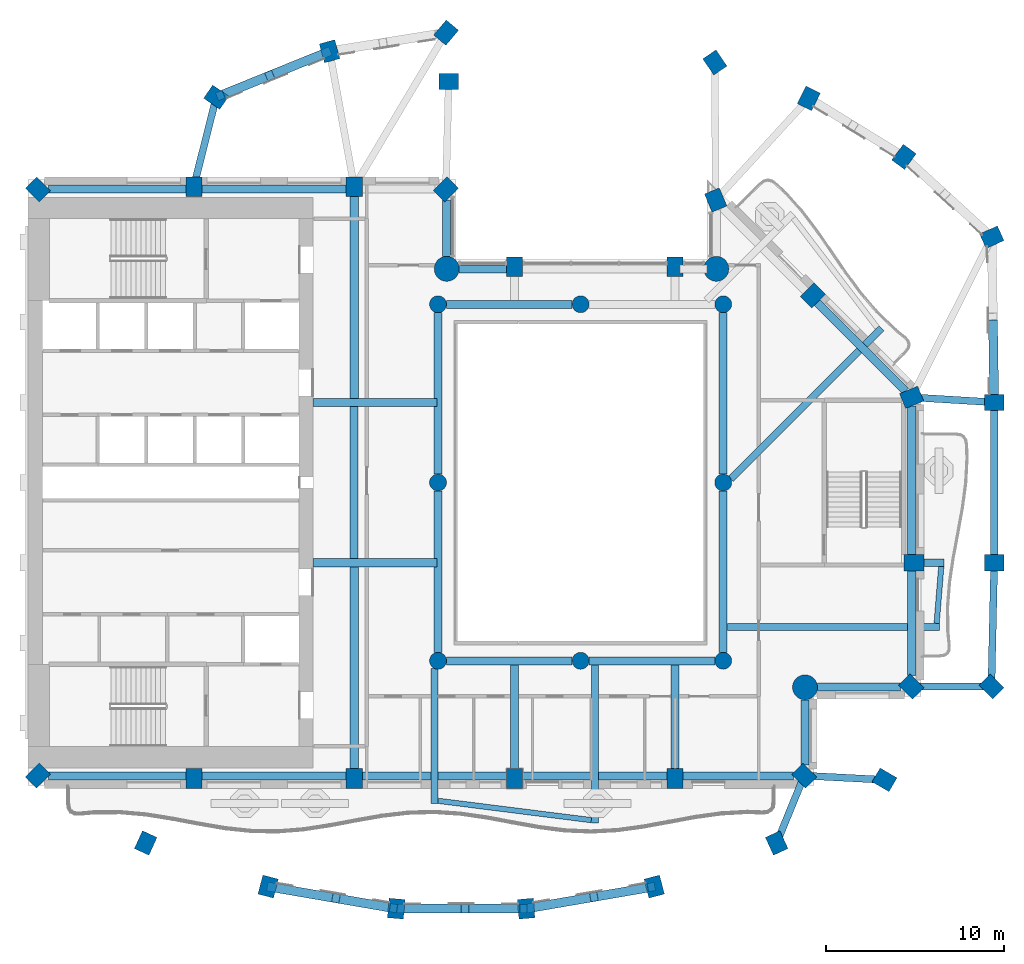
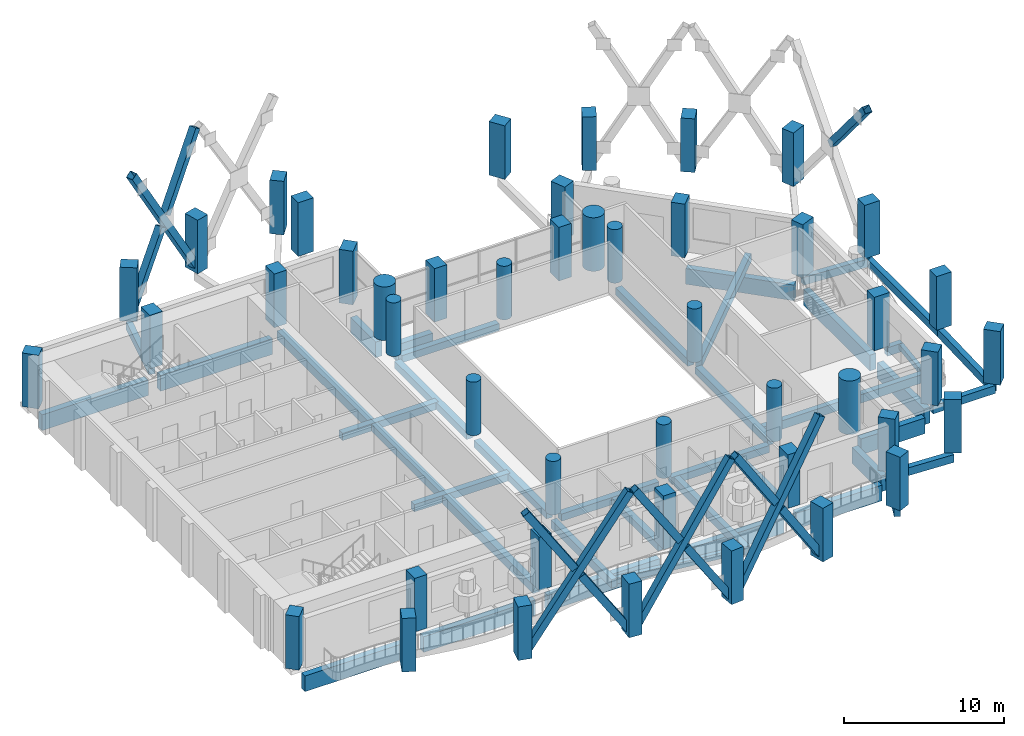
# One storey, part 1 of 16: 46 columns, 42 beams, 13 members.
"""IFC4 building model written with IfcOpenShell, lengths in metres."""

from ifc_helpers import new_model, si_unit, direction, frame, origin, origin_2d, place, context, subcontext, project, spatial, rectangle, hollow_rectangle, circle, extrude, material, material_profile, profile_set, type_object, element, save


model = new_model("IFC4")

# Units and contexts
model_context = context("Model", 3, precision=1e-05, world=origin(), true_north=direction((0.0, 1.0)))
body_context = subcontext(model_context, "Body", "Model", "MODEL_VIEW")
ifc_project = project(units=[si_unit("LENGTHUNIT", "METRE"), si_unit("AREAUNIT", "SQUARE_METRE"), si_unit("VOLUMEUNIT", "CUBIC_METRE"), si_unit("PLANEANGLEUNIT", "RADIAN"), si_unit("MASSUNIT", "GRAM", prefix="KILO")], contexts=[model_context])

# Site, building, storey
site_placement = place(None, origin())
site = spatial("IfcSite", under=ifc_project, at=site_placement, CompositionType="ELEMENT")
building_placement = place(site_placement, origin())
building = spatial("IfcBuilding", under=site, at=building_placement, Name="Cypress Arch Tower", CompositionType="ELEMENT")
storey_placement = place(building_placement, frame((0.0, 0.0, 181.0)))
storey = spatial("IfcBuildingStorey", under=building, at=storey_placement, Name="L39", CompositionType="ELEMENT", Elevation=181.0)

# Columns
ifc_material_1 = material(Name="Concrete C70/85", Category="concrete")
ifc_material_profile_1 = material_profile(ifc_material_1, rectangle(XDim=0.89990234375, YDim=1.10009765625, at=origin_2d()), Name="RC 900x1100")
ifc_profile_set_1 = profile_set([ifc_material_profile_1], Name="Concrete C70/85")
column_type_1 = type_object("IfcColumnType", Name="Column RC 900x1100 Concrete C70/85", PredefinedType="COLUMN", material=ifc_profile_set_1)
for number, where, z_axis, x_axis, name in (
    (1, (-29.44287109375, 16.44287109375, 0.0), (0.0, 0.0, 1.0), (-0.707106781187, -0.707106781187, 0.0), "Column L39 CB00"),
    (2, (-29.44287109375, -16.44287109375, 0.0), (0.0, 0.0, 1.0), (0.707106781187, -0.707106781187, 0.0), "Column L39 CB01"),
    (3, (-20.699951171875, -16.60009765625, 0.0), (0.0, 0.0, 1.0), (1.0, 0.0, 0.0), "Column L39 CB02"),
    (4, (-11.699951171875, -16.60009765625, 0.0), (0.0, 0.0, 1.0), (1.0, 0.0, 0.0), "Column L39 CB03"),
    (5, (-2.699951171875, -16.60009765625, 0.0), (0.0, 0.0, 1.0), (1.0, 0.0, 0.0), "Column L39 CB04"),
    (6, (6.300048828125, -16.60009765625, 0.0), (0.0, 0.0, 1.0), (1.0, 0.0, 0.0), "Column L39 CB05"),
    (7, (13.54296875, -16.44287109375, 0.0), (0.0, 0.0, 1.0), (0.707106781187, 0.707106781187, 0.0), "Column L39 CB06"),
    (8, (19.54296875, -11.44287109375, 0.0), (0.0, 0.0, 1.0), (0.707106781187, 0.707106781187, 0.0), "Column L39 CB08"),
    (9, (19.699951171875, -4.5, 0.0), (0.0, 0.0, 1.0), (0.0, 1.0, 0.0), "Column L39 CB09"),
    (10, (19.569580078125, 4.7802734375, 0.0), (0.0, 0.0, 1.0), (-0.382683496864, 0.923879505795, 0.0), "Column L39 CB10"),
    (11, (14.029296875, 10.505126953125, 0.0), (0.0, 0.0, 1.0), (-0.707106781187, 0.707106781187, 0.0), "Column L39 CB11"),
    (12, (8.576171875, 15.850341796875, 0.0), (0.0, 0.0, 1.0), (-0.923879672772, -0.382683093746, 0.0), "Column L39 CB12"),
    (13, (6.300048828125, 12.10009765625, 0.0), (0.0, 0.0, 1.0), (-1.0, 0.0, 0.0), "Column L39 CB14"),
    (14, (-2.699951171875, 12.10009765625, 0.0), (0.0, 0.0, 1.0), (-1.0, 0.0, 0.0), "Column L39 CB15"),
    (15, (-6.55712890625, 16.44287109375, 0.0), (0.0, 0.0, 1.0), (-0.707106781187, 0.707106781187, 0.0), "Column L39 CB17"),
    (16, (-11.699951171875, 16.60009765625, 0.0), (0.0, 0.0, 1.0), (-1.0, 0.0, 0.0), "Column L39 CB18"),
    (17, (-20.699951171875, 16.60009765625, 0.0), (0.0, 0.0, 1.0), (-1.0, 0.0, 0.0), "Column L39 CB19"),
    (18, (8.53076171875, 23.564697265625, 0.0), (0.0, 0.0, 1.0), (-0.828469606019, -0.560034027451, 0.0), "Column L39 CQ00"),
    (19, (-6.39990234375, 22.5, 0.0), (0.0, 0.0, 1.0), (0.0, 1.0, 0.0), "Column L39 CQ01"),
    (20, (-6.54833984375, 25.236572265625, 0.0), (0.0, 0.0, 1.0), (-0.766063514674, 0.642764880407, 0.0), "Column L39 CQ02"),
    (21, (-13.081298828125, 24.193359375, 0.0), (0.0, 0.0, 1.0), (-0.96345574646, -0.267867550506, 0.0), "Column L39 CQ03"),
    (22, (-19.44189453125, 21.616943359375, 0.0), (0.0, 0.0, 1.0), (-0.565892599589, -0.824478966215, 0.0), "Column L39 CQ04"),
    (23, (-23.398193359375, -20.221435546875, 0.0), (0.0, 0.0, 1.0), (0.909932071487, -0.414757308891, 0.0), "Column L39 CQ05"),
    (24, (-16.529052734375, -22.666259765625, 0.0), (0.0, 0.0, 1.0), (0.96735573689, -0.2534223319, 0.0), "Column L39 CQ06"),
    (25, (-9.3427734375, -23.903564453125, 0.0), (0.0, 0.0, 1.0), (0.996368206733, -0.085149260784, 0.0), "Column L39 CQ07"),
    (26, (-2.057373046875, -23.903564453125, 0.0), (0.0, 0.0, 1.0), (0.996368206733, 0.085149260784, 0.0), "Column L39 CQ08"),
    (27, (5.12890625, -22.666259765625, 0.0), (0.0, 0.0, 1.0), (0.96735573689, 0.2534223319, 0.0), "Column L39 CQ09"),
    (28, (11.998291015625, -20.221435546875, 0.0), (0.0, 0.0, 1.0), (0.909932071487, 0.414757308891, 0.0), "Column L39 CQ10"),
    (29, (18.048095703125, -16.677490234375, 0.0), (0.0, 0.0, 1.0), (0.504399289829, 0.86347053014, 0.0), "Column L39 CQ11"),
    (30, (24.04296875, -11.44287109375, 0.0), (0.0, 0.0, 1.0), (0.707106781187, 0.707106781187, 0.0), "Column L39 CQ12"),
    (31, (24.199951171875, -4.5, 0.0), (0.0, 0.0, 1.0), (0.0, 1.0, 0.0), "Column L39 CQ13"),
    (32, (24.199951171875, 4.5, 0.0), (0.0, 0.0, 1.0), (0.0, 1.0, 0.0), "Column L39 CQ14"),
    (33, (24.06396484375, 13.75927734375, 0.0), (0.0, 0.0, 1.0), (-0.409765058504, 0.912191096662, 0.0), "Column L39 CQ15"),
    (34, (19.13818359375, 18.267578125, 0.0), (0.0, 0.0, 1.0), (-0.802798546114, 0.596250362144, 0.0), "Column L39 CQ16"),
    (35, (13.80322265625, 21.549072265625, 0.0), (0.0, 0.0, 1.0), (-0.893106499805, 0.44984528452, 0.0), "Column L39 CQ17"),
):
    element("IfcColumn", number, at=place(storey_placement, frame(where, z_axis=z_axis, x_axis=x_axis)), inside=storey, type_object=column_type_1, Name=name, PredefinedType="COLUMN", context=body_context, shape_type="SweptSolid", body=[
        extrude(rectangle(XDim=0.89990234375, YDim=1.10009765625, at=origin_2d()), origin(), (0.0, 0.0, 1.0), 4.10009765625),
    ])
ifc_material_2 = material(Name="Concrete C70/85", Category="concrete")
ifc_material_profile_2 = material_profile(ifc_material_2, circle(Radius=0.47509765625, at=origin_2d()), Name="RC D950")
ifc_profile_set_2 = profile_set([ifc_material_profile_2], Name="Concrete C70/85")
column_type_2 = type_object("IfcColumnType", Name="Column RC D950 Concrete C70/85", PredefinedType="COLUMN", material=ifc_profile_set_2)
for number, where, z_axis, x_axis, name in (
    (36, (-7.0, -10.0, 0.0), (0.0, 0.0, 1.0), (1.0, 0.0, 0.0), "Column L39 RNG-L39-G-7-10"),
    (37, (-7.0, 0.0, 0.0), (0.0, 0.0, 1.0), (1.0, 0.0, 0.0), "Column L39 RNG-L39-G-7+0"),
    (38, (-7.0, 10.0, 0.0), (0.0, 0.0, 1.0), (1.0, 0.0, 0.0), "Column L39 RNG-L39-G-7+10"),
    (39, (1.0, -10.0, 0.0), (0.0, 0.0, 1.0), (1.0, 0.0, 0.0), "Column L39 RNG-L39-G+1-10"),
    (40, (1.0, 10.0, 0.0), (0.0, 0.0, 1.0), (1.0, 0.0, 0.0), "Column L39 RNG-L39-G+1+10"),
    (41, (9.0, -10.0, 0.0), (0.0, 0.0, 1.0), (1.0, 0.0, 0.0), "Column L39 RNG-L39-G+9-10"),
    (42, (9.0, 0.0, 0.0), (0.0, 0.0, 1.0), (1.0, 0.0, 0.0), "Column L39 RNG-L39-G+9+0"),
    (43, (9.0, 10.0, 0.0), (0.0, 0.0, 1.0), (1.0, 0.0, 0.0), "Column L39 RNG-L39-G+9+10"),
):
    element("IfcColumn", number, at=place(storey_placement, frame(where, z_axis=z_axis, x_axis=x_axis)), inside=storey, type_object=column_type_2, Name=name, PredefinedType="COLUMN", context=body_context, shape_type="SweptSolid", body=[
        extrude(circle(Radius=0.47509765625, at=origin_2d()), origin(), (0.0, 0.0, 1.0), 4.10009765625),
    ])
ifc_material_3 = material(Name="Concrete C70/85", Category="concrete")
ifc_material_profile_3 = material_profile(ifc_material_3, circle(Radius=0.699951171875, at=origin_2d()), Name="RC D1400")
ifc_profile_set_3 = profile_set([ifc_material_profile_3], Name="Concrete C70/85")
column_type_3 = type_object("IfcColumnType", Name="Mega-column RC D1400 Concrete C70/85", PredefinedType="COLUMN", material=ifc_profile_set_3)
for number, where, z_axis, x_axis, name in (
    (44, (13.587890625, -11.48779296875, 0.0), (0.0, 0.0, 1.0), (1.0, 0.0, 0.0), "Column L39 CB07"),
    (45, (8.612060546875, 11.98779296875, 0.0), (0.0, 0.0, 1.0), (1.0, 0.0, 0.0), "Column L39 CB13"),
    (46, (-6.51220703125, 11.98779296875, 0.0), (0.0, 0.0, 1.0), (1.0, 0.0, 0.0), "Column L39 CB16"),
):
    element("IfcColumn", number, at=place(storey_placement, frame(where, z_axis=z_axis, x_axis=x_axis)), inside=storey, type_object=column_type_3, Name=name, PredefinedType="COLUMN", context=body_context, shape_type="SweptSolid", body=[
        extrude(circle(Radius=0.699951171875, at=origin_2d()), origin(), (0.0, 0.0, 1.0), 4.10009765625),
    ])

# Beams
ifc_material_4 = material(Name="Concrete C50/60", Category="concrete")
ifc_material_profile_4 = material_profile(ifc_material_4, rectangle(XDim=0.300048828125, YDim=0.39990234375, at=origin_2d()), Name="RC 300x400")
ifc_profile_set_4 = profile_set([ifc_material_profile_4], Name="Concrete C50/60")
beam_type_1 = type_object("IfcBeamType", Name="Balcony edge beam RC 300x400 Concrete C50/60", PredefinedType="BEAM", material=ifc_profile_set_4)
beam_1_placement = place(storey_placement, frame((20.9716796875, -7.89990234375, -0.5), z_axis=(0.080987381557, 0.996715126818, 0.0), x_axis=(-0.996715126818, 0.080987381557, 0.0)))
element("IfcBeam", 47, at=beam_1_placement, inside=storey, type_object=beam_type_1, Name="Balcony edge beam L39 B04", PredefinedType="BEAM", context=body_context, shape_type="SweptSolid", body=[
    extrude(rectangle(XDim=0.300048828125, YDim=0.39990234375, at=origin_2d()), origin(), (0.0, 0.0, 1.0), 3.21044921875),
])
ifc_material_5 = material(Name="Concrete C50/60", Category="concrete")
ifc_material_profile_5 = material_profile(ifc_material_5, rectangle(XDim=0.300048828125, YDim=0.449951171875, at=origin_2d()), Name="RC 300x450")
ifc_profile_set_5 = profile_set([ifc_material_profile_5], Name="Concrete C50/60")
beam_type_2 = type_object("IfcBeamType", Name="Balcony edge beam RC 300x450 Concrete C50/60", PredefinedType="BEAM", material=ifc_profile_set_5)
beam_2_placement = place(storey_placement, frame((-7.0, -17.853759765625, -0.52490234375), z_axis=(0.992128978979, -0.125220162395, 0.0), x_axis=(0.125220162395, 0.992128978979, 0.0)))
element("IfcBeam", 48, at=beam_2_placement, inside=storey, type_object=beam_type_2, Name="Balcony edge beam L39 B01", PredefinedType="BEAM", context=body_context, shape_type="SweptSolid", body=[
    extrude(rectangle(XDim=0.300048828125, YDim=0.449951171875, at=origin_2d()), origin(), (0.0, 0.0, 1.0), 8.668212890625),
])
ifc_material_6 = material(Name="Concrete C50/60", Category="concrete")
ifc_material_profile_6 = material_profile(ifc_material_6, rectangle(XDim=0.39990234375, YDim=0.64990234375, at=origin_2d()), Name="RC 400x650")
ifc_profile_set_6 = profile_set([ifc_material_profile_6], Name="Concrete C50/60")
beam_type_3 = type_object("IfcBeamType", Name="Cantilever beam RC 400x650 Concrete C50/60", PredefinedType="BEAM", material=ifc_profile_set_6)
beam_3_placement = place(storey_placement, frame((-7.199951171875, -10.4306640625, -0.625), z_axis=(0.0, -1.0, 0.0), x_axis=(1.0, 0.0, 0.0)))
element("IfcBeam", 49, at=beam_3_placement, inside=storey, type_object=beam_type_3, Name="Cantilever beam L39 B01 1", PredefinedType="BEAM", context=body_context, shape_type="SweptSolid", body=[
    extrude(rectangle(XDim=0.39990234375, YDim=0.64990234375, at=origin_2d()), origin(), (0.0, 0.0, 1.0), 7.5732421875),
])
beam_4_placement = place(storey_placement, frame((1.800048828125, -10.22509765625, -0.625), z_axis=(0.0, -1.0, 0.0), x_axis=(1.0, 0.0, 0.0)))
element("IfcBeam", 50, at=beam_4_placement, inside=storey, type_object=beam_type_3, Name="Cantilever beam L39 B01 2", PredefinedType="BEAM", context=body_context, shape_type="SweptSolid", body=[
    extrude(rectangle(XDim=0.39990234375, YDim=0.64990234375, at=origin_2d()), origin(), (0.0, 0.0, 1.0), 8.864013671875),
])
beam_5_placement = place(storey_placement, frame((9.22509765625, -8.10009765625, -0.625), z_axis=(1.0, 0.0, 0.0), x_axis=(0.0, 1.0, 0.0)))
element("IfcBeam", 51, at=beam_5_placement, inside=storey, type_object=beam_type_3, Name="Cantilever beam L39 B04 1", PredefinedType="BEAM", context=body_context, shape_type="SweptSolid", body=[
    extrude(rectangle(XDim=0.39990234375, YDim=0.64990234375, at=origin_2d()), origin(), (0.0, 0.0, 1.0), 11.896728515625),
])
beam_6_placement = place(storey_placement, frame((20.25, -4.5, -0.625), z_axis=(1.0, 0.0, 0.0), x_axis=(0.0, 1.0, 0.0)))
element("IfcBeam", 52, at=beam_6_placement, inside=storey, type_object=beam_type_3, Name="Cantilever beam L39 B04 2", PredefinedType="BEAM", context=body_context, shape_type="SweptSolid", body=[
    extrude(rectangle(XDim=0.39990234375, YDim=0.64990234375, at=origin_2d()), origin(), (0.0, 0.0, 1.0), 1.131591796875),
])
beam_7_placement = place(storey_placement, frame((9.4287109375, 0.204345703125, -0.625), z_axis=(0.707096570922, 0.707116991304, 0.0), x_axis=(-0.707116991304, 0.707096570922, 0.0)))
element("IfcBeam", 53, at=beam_7_placement, inside=storey, type_object=beam_type_3, Name="Cantilever beam L39 B05 1", PredefinedType="BEAM", context=body_context, shape_type="SweptSolid", body=[
    extrude(rectangle(XDim=0.39990234375, YDim=0.64990234375, at=origin_2d()), origin(), (0.0, 0.0, 1.0), 11.955810546875),
])

# Members
ifc_material_7 = material(Name="Steel ASTM A500 Grade C", Category="steel")
ifc_material_profile_7 = material_profile(ifc_material_7, hollow_rectangle(XDim=0.508056640625, YDim=0.508056640625, WallThickness=0.017578125, at=origin_2d()), Name="HSS 20x20x3/4")
ifc_profile_set_7 = profile_set([ifc_material_profile_7], Name="Steel ASTM A500 Grade C")
member_type = type_object("IfcMemberType", Name="Exoskeleton brace HSS 20x20x3/4 Steel ASTM A500 Grade C", PredefinedType="BRACE", material=ifc_profile_set_7)
member_1_placement = place(storey_placement, frame((-13.226806640625, 24.13427734375, 0.253662109375), z_axis=(-0.487398996973, -0.197419142906, 0.850569162246), x_axis=(0.375419205313, -0.926855123675, 0.0)))
element("IfcMember", 54, at=member_1_placement, inside=storey, type_object=member_type, Name="Exoskeleton brace L39 CQ03-CQ04a", PredefinedType="BRACE", context=body_context, shape_type="SweptSolid", body=[
    extrude(hollow_rectangle(XDim=0.508056640625, YDim=0.508056640625, WallThickness=0.017578125, at=origin_2d()), origin(), (0.0, 0.0, 1.0), 12.288818359375),
])
member_2_placement = place(storey_placement, frame((-13.226806640625, 24.13427734375, 10.84619140625), z_axis=(-0.48270643109, -0.195493802202, -0.853684177366), x_axis=(0.375378569734, -0.926871581927, 0.0)))
element("IfcMember", 55, at=member_2_placement, inside=storey, type_object=member_type, Name="Exoskeleton brace L39 CQ03-CQ04b1", PredefinedType="BRACE", context=body_context, shape_type="SweptSolid", body=[
    extrude(hollow_rectangle(XDim=0.508056640625, YDim=0.508056640625, WallThickness=0.017578125, at=origin_2d()), origin(), (0.0, 0.0, 1.0), 5.83203125),
])
member_3_placement = place(storey_placement, frame((-19.21630859375, 21.708251953125, 0.393798828125), z_axis=(0.492178617926, 0.199375004692, 0.847354598477), x_axis=(-0.375451388539, 0.926842087329, 0.0)))
element("IfcMember", 56, at=member_3_placement, inside=storey, type_object=member_type, Name="Exoskeleton brace L39 CQ03-CQ04b2", PredefinedType="BRACE", context=body_context, shape_type="SweptSolid", body=[
    extrude(hollow_rectangle(XDim=0.508056640625, YDim=0.508056640625, WallThickness=0.017578125, at=origin_2d()), origin(), (0.0, 0.0, 1.0), 5.636474609375),
])
member_4_placement = place(storey_placement, frame((-16.371826171875, -22.693115234375, 0.24267578125), z_axis=(0.541092669505, -0.093193735319, 0.835783255818), x_axis=(0.169733395085, 0.9854900175, 0.0)))
element("IfcMember", 57, at=member_4_placement, inside=storey, type_object=member_type, Name="Exoskeleton brace L39 CQ06-CQ07a", PredefinedType="BRACE", context=body_context, shape_type="SweptSolid", body=[
    extrude(hollow_rectangle(XDim=0.508056640625, YDim=0.508056640625, WallThickness=0.017578125, at=origin_2d()), origin(), (0.0, 0.0, 1.0), 12.700439453125),
])
for number, where, z_axis, x_axis, name in (
    (58, (-16.371826171875, -22.693115234375, 10.857421875), (0.541088154541, -0.093210601293, -0.835784298023), (0.169764603538, 0.985484641882, 0.0), "Exoskeleton brace L39 CQ06-CQ07b1"),
    (59, (-9.499755859375, -23.876708984375, 0.24267578125), (-0.541088154541, 0.093210601293, 0.835784298023), (-0.169764603538, -0.985484641882, 0.0), "Exoskeleton brace L39 CQ06-CQ07b2"),
):
    element("IfcMember", number, at=place(storey_placement, frame(where, z_axis=z_axis, x_axis=x_axis)), inside=storey, type_object=member_type, Name=name, PredefinedType="BRACE", context=body_context, shape_type="SweptSolid", body=[
        extrude(hollow_rectangle(XDim=0.508056640625, YDim=0.508056640625, WallThickness=0.017578125, at=origin_2d()), origin(), (0.0, 0.0, 1.0), 5.964111328125),
    ])
member_5_placement = place(storey_placement, frame((-9.183349609375, -23.903564453125, 0.24267578125), z_axis=(0.548704321507, 0.0, 0.836016487612), x_axis=(0.0, 1.0, 0.0)))
element("IfcMember", 60, at=member_5_placement, inside=storey, type_object=member_type, Name="Exoskeleton brace L39 CQ07-CQ08a", PredefinedType="BRACE", context=body_context, shape_type="SweptSolid", body=[
    extrude(hollow_rectangle(XDim=0.508056640625, YDim=0.508056640625, WallThickness=0.017578125, at=origin_2d()), origin(), (0.0, 0.0, 1.0), 12.69677734375),
])
for number, where, z_axis, x_axis, name in (
    (61, (-9.183349609375, -23.903564453125, 10.857421875), (0.548685064029, 0.0, -0.836029126593), (0.0, 1.0, 0.0), "Exoskeleton brace L39 CQ07-CQ08b1"),
    (62, (-2.216552734375, -23.903564453125, 0.24267578125), (-0.548732469594, 0.0, 0.835998012446), (0.0, -1.0, 0.0), "Exoskeleton brace L39 CQ07-CQ08b2"),
):
    element("IfcMember", number, at=place(storey_placement, frame(where, z_axis=z_axis, x_axis=x_axis)), inside=storey, type_object=member_type, Name=name, PredefinedType="BRACE", context=body_context, shape_type="SweptSolid", body=[
        extrude(hollow_rectangle(XDim=0.508056640625, YDim=0.508056640625, WallThickness=0.017578125, at=origin_2d()), origin(), (0.0, 0.0, 1.0), 5.9619140625),
    ])
member_6_placement = place(storey_placement, frame((-1.900146484375, -23.876708984375, 0.24267578125), z_axis=(0.541092669505, 0.093193735319, 0.835783255818), x_axis=(-0.169733395085, 0.9854900175, 0.0)))
element("IfcMember", 63, at=member_6_placement, inside=storey, type_object=member_type, Name="Exoskeleton brace L39 CQ08-CQ09a", PredefinedType="BRACE", context=body_context, shape_type="SweptSolid", body=[
    extrude(hollow_rectangle(XDim=0.508056640625, YDim=0.508056640625, WallThickness=0.017578125, at=origin_2d()), origin(), (0.0, 0.0, 1.0), 12.700439453125),
])
for number, where, z_axis, x_axis, name in (
    (64, (-1.900146484375, -23.876708984375, 10.857421875), (0.541088154541, 0.093210601293, -0.835784298023), (-0.169764603538, 0.985484641882, 0.0), "Exoskeleton brace L39 CQ08-CQ09b1"),
    (65, (4.971923828125, -22.693115234375, 0.24267578125), (-0.541088154541, -0.093210601293, 0.835784298023), (0.169764603538, -0.985484641882, 0.0), "Exoskeleton brace L39 CQ08-CQ09b2"),
):
    element("IfcMember", number, at=place(storey_placement, frame(where, z_axis=z_axis, x_axis=x_axis)), inside=storey, type_object=member_type, Name=name, PredefinedType="BRACE", context=body_context, shape_type="SweptSolid", body=[
        extrude(hollow_rectangle(XDim=0.508056640625, YDim=0.508056640625, WallThickness=0.017578125, at=origin_2d()), origin(), (0.0, 0.0, 1.0), 5.964111328125),
    ])
member_7_placement = place(storey_placement, frame((24.197509765625, 4.675048828125, 10.89013671875), z_axis=(-0.009394565825, 0.638830476121, -0.769290169515), x_axis=(-0.999891886048, -0.014704292442, 0.0)))
element("IfcMember", 66, at=member_7_placement, inside=storey, type_object=member_type, Name="Exoskeleton brace L39 CQ14-CQ15b1", PredefinedType="BRACE", context=body_context, shape_type="SweptSolid", body=[
    extrude(hollow_rectangle(XDim=0.508056640625, YDim=0.508056640625, WallThickness=0.017578125, at=origin_2d()), origin(), (0.0, 0.0, 1.0), 6.65283203125),
])

# Beams
ifc_material_8 = material(Name="Concrete C50/60", Category="concrete")
ifc_material_profile_8 = material_profile(ifc_material_8, rectangle(XDim=0.449951171875, YDim=0.550048828125, at=origin_2d()), Name="RC 450x550")
ifc_profile_set_8 = profile_set([ifc_material_profile_8], Name="Concrete C50/60")
beam_type_4 = type_object("IfcBeamType", Name="Floor beam RC 450x550 Concrete C50/60", PredefinedType="BEAM", material=ifc_profile_set_8)
for number, where, z_axis, x_axis, name in (
    (67, (-7.0, -9.52490234375, -0.574951171875), (0.0, 1.0, 0.0), (-1.0, 0.0, 0.0), "Floor beam L39 RB001"),
    (68, (-7.0, 0.47509765625, -0.574951171875), (0.0, 1.0, 0.0), (-1.0, 0.0, 0.0), "Floor beam L39 RB002"),
    (69, (9.0, -9.52490234375, -0.574951171875), (0.0, 1.0, 0.0), (-1.0, 0.0, 0.0), "Floor beam L39 RB003"),
    (70, (9.0, 0.47509765625, -0.574951171875), (0.0, 1.0, 0.0), (-1.0, 0.0, 0.0), "Floor beam L39 RB004"),
):
    element("IfcBeam", number, at=place(storey_placement, frame(where, z_axis=z_axis, x_axis=x_axis)), inside=storey, type_object=beam_type_4, Name=name, PredefinedType="BEAM", context=body_context, shape_type="SweptSolid", body=[
        extrude(rectangle(XDim=0.449951171875, YDim=0.550048828125, at=origin_2d()), origin(), (0.0, 0.0, 1.0), 9.0498046875),
    ])
for number, where, z_axis, x_axis, name in (
    (71, (-6.52490234375, -10.0, -0.574951171875), (1.0, 0.0, 0.0), (0.0, 1.0, 0.0), "Floor beam L39 RB005"),
    (72, (1.47509765625, -10.0, -0.574951171875), (1.0, 0.0, 0.0), (0.0, 1.0, 0.0), "Floor beam L39 RB006"),
    (73, (-6.52490234375, 10.0, -0.574951171875), (1.0, 0.0, 0.0), (0.0, 1.0, 0.0), "Floor beam L39 RB007"),
):
    element("IfcBeam", number, at=place(storey_placement, frame(where, z_axis=z_axis, x_axis=x_axis)), inside=storey, type_object=beam_type_4, Name=name, PredefinedType="BEAM", context=body_context, shape_type="SweptSolid", body=[
        extrude(rectangle(XDim=0.449951171875, YDim=0.550048828125, at=origin_2d()), origin(), (0.0, 0.0, 1.0), 7.0498046875),
    ])
for number, where, z_axis, x_axis, name in (
    (74, (-14.0, -4.5, -0.574951171875), (1.0, 0.0, 0.0), (0.0, 1.0, 0.0), "Floor beam L39 FB009"),
    (75, (-14.0, 4.5, -0.574951171875), (1.0, 0.0, 0.0), (0.0, 1.0, 0.0), "Floor beam L39 FB010"),
):
    element("IfcBeam", number, at=place(storey_placement, frame(where, z_axis=z_axis, x_axis=x_axis)), inside=storey, type_object=beam_type_4, Name=name, PredefinedType="BEAM", context=body_context, shape_type="SweptSolid", body=[
        extrude(rectangle(XDim=0.449951171875, YDim=0.550048828125, at=origin_2d()), origin(), (0.0, 0.0, 1.0), 6.949951171875),
    ])
beam_8_placement = place(storey_placement, frame((-11.699951171875, -4.27490234375, -0.574951171875), z_axis=(0.0, 1.0, 0.0), x_axis=(-1.0, 0.0, 0.0)))
element("IfcBeam", 76, at=beam_8_placement, inside=storey, type_object=beam_type_4, Name="Floor beam L39 FB012", PredefinedType="BEAM", context=body_context, shape_type="SweptSolid", body=[
    extrude(rectangle(XDim=0.449951171875, YDim=0.550048828125, at=origin_2d()), origin(), (0.0, 0.0, 1.0), 8.5498046875),
])
for number, where, z_axis, x_axis, name in (
    (77, (-2.699951171875, -16.050048828125, -0.574951171875), (0.0, 1.0, 0.0), (-1.0, 0.0, 0.0), "Floor beam L39 FB014"),
    (78, (6.300048828125, -16.050048828125, -0.574951171875), (0.0, 1.0, 0.0), (-1.0, 0.0, 0.0), "Floor beam L39 FB016"),
):
    element("IfcBeam", number, at=place(storey_placement, frame(where, z_axis=z_axis, x_axis=x_axis)), inside=storey, type_object=beam_type_4, Name=name, PredefinedType="BEAM", context=body_context, shape_type="SweptSolid", body=[
        extrude(rectangle(XDim=0.449951171875, YDim=0.550048828125, at=origin_2d()), origin(), (0.0, 0.0, 1.0), 5.824951171875),
    ])
ifc_material_9 = material(Name="Concrete C50/60", Category="concrete")
ifc_material_profile_9 = material_profile(ifc_material_9, rectangle(XDim=0.5, YDim=0.64990234375, at=origin_2d()), Name="RC 500x650")
ifc_profile_set_9 = profile_set([ifc_material_profile_9], Name="Concrete C50/60")
beam_type_5 = type_object("IfcBeamType", Name="Floor beam RC 500x650 Concrete C50/60", PredefinedType="BEAM", material=ifc_profile_set_9)
for number, where, z_axis, x_axis, name in (
    (79, (-11.699951171875, -16.050048828125, -0.625), (0.0, 1.0, 0.0), (-1.0, 0.0, 0.0), "Floor beam L39 FB011"),
    (80, (-11.699951171875, 4.72509765625, -0.625), (0.0, 1.0, 0.0), (-1.0, 0.0, 0.0), "Floor beam L39 FB013"),
):
    element("IfcBeam", number, at=place(storey_placement, frame(where, z_axis=z_axis, x_axis=x_axis)), inside=storey, type_object=beam_type_5, Name=name, PredefinedType="BEAM", context=body_context, shape_type="SweptSolid", body=[
        extrude(rectangle(XDim=0.5, YDim=0.64990234375, at=origin_2d()), origin(), (0.0, 0.0, 1.0), 11.324951171875),
    ])
ifc_material_10 = material(Name="Concrete C50/60", Category="concrete")
ifc_material_profile_10 = material_profile(ifc_material_10, rectangle(XDim=0.39990234375, YDim=0.60009765625, at=origin_2d()), Name="RC 400x600")
ifc_profile_set_10 = profile_set([ifc_material_profile_10], Name="Concrete C50/60")
beam_type_6 = type_object("IfcBeamType", Name="Pilotis tie beam RC 400x600 Concrete C50/60", PredefinedType="BEAM", material=ifc_profile_set_10)
beam_9_placement = place(storey_placement, frame((-19.44189453125, 21.616943359375, -0.60009765625), z_axis=(-0.243235271871, -0.969967320335, 0.0), x_axis=(0.969967320335, -0.243235271871, 0.0)))
element("IfcBeam", 81, at=beam_9_placement, inside=storey, type_object=beam_type_6, Name="Pilotis tie beam L39 CQ04-CB19", PredefinedType="BEAM", context=body_context, shape_type="SweptSolid", body=[
    extrude(rectangle(XDim=0.39990234375, YDim=0.60009765625, at=origin_2d()), origin(), (0.0, 0.0, 1.0), 5.172119140625),
])
beam_10_placement = place(storey_placement, frame((11.998291015625, -20.221435546875, -0.60009765625), z_axis=(0.378402283859, 0.925641243447, 0.0), x_axis=(-0.925641243447, 0.378402283859, 0.0)))
element("IfcBeam", 82, at=beam_10_placement, inside=storey, type_object=beam_type_6, Name="Pilotis tie beam L39 CQ10-CB06", PredefinedType="BEAM", context=body_context, shape_type="SweptSolid", body=[
    extrude(rectangle(XDim=0.39990234375, YDim=0.60009765625, at=origin_2d()), origin(), (0.0, 0.0, 1.0), 4.08203125),
])
beam_11_placement = place(storey_placement, frame((18.048095703125, -16.677490234375, -0.60009765625), z_axis=(-0.998646679968, 0.052007774316, 0.0), x_axis=(-0.052007774316, -0.998646679968, 0.0)))
element("IfcBeam", 83, at=beam_11_placement, inside=storey, type_object=beam_type_6, Name="Pilotis tie beam L39 CQ11-CB06", PredefinedType="BEAM", context=body_context, shape_type="SweptSolid", body=[
    extrude(rectangle(XDim=0.39990234375, YDim=0.60009765625, at=origin_2d()), origin(), (0.0, 0.0, 1.0), 4.51123046875),
])
beam_12_placement = place(storey_placement, frame((24.04296875, -11.44287109375, -0.60009765625), z_axis=(0.022604813971, 0.999744478547, 0.0), x_axis=(-0.999744478547, 0.022604813971, 0.0)))
element("IfcBeam", 84, at=beam_12_placement, inside=storey, type_object=beam_type_6, Name="Pilotis tie beam L39 CQ12-CQ13", PredefinedType="BEAM", context=body_context, shape_type="SweptSolid", body=[
    extrude(rectangle(XDim=0.39990234375, YDim=0.60009765625, at=origin_2d()), origin(), (0.0, 0.0, 1.0), 6.944580078125),
])
beam_13_placement = place(storey_placement, frame((24.04296875, -11.44287109375, -0.60009765625), z_axis=(-1.0, 0.0, 0.0), x_axis=(0.0, -1.0, 0.0)))
element("IfcBeam", 85, at=beam_13_placement, inside=storey, type_object=beam_type_6, Name="Pilotis tie beam L39 CQ12-CB08", PredefinedType="BEAM", context=body_context, shape_type="SweptSolid", body=[
    extrude(rectangle(XDim=0.39990234375, YDim=0.60009765625, at=origin_2d()), origin(), (0.0, 0.0, 1.0), 4.5),
])
beam_14_placement = place(storey_placement, frame((24.199951171875, 4.5, -0.60009765625), z_axis=(0.0, -1.0, 0.0), x_axis=(1.0, 0.0, 0.0)))
element("IfcBeam", 86, at=beam_14_placement, inside=storey, type_object=beam_type_6, Name="Pilotis tie beam L39 CQ14-CQ13", PredefinedType="BEAM", context=body_context, shape_type="SweptSolid", body=[
    extrude(rectangle(XDim=0.39990234375, YDim=0.60009765625, at=origin_2d()), origin(), (0.0, 0.0, 1.0), 9.0),
])
beam_15_placement = place(storey_placement, frame((24.199951171875, 4.5, -0.60009765625), z_axis=(-0.998173116263, 0.060418788225, 0.0), x_axis=(-0.060418788225, -0.998173116263, 0.0)))
element("IfcBeam", 87, at=beam_15_placement, inside=storey, type_object=beam_type_6, Name="Pilotis tie beam L39 CQ14-CB10", PredefinedType="BEAM", context=body_context, shape_type="SweptSolid", body=[
    extrude(rectangle(XDim=0.39990234375, YDim=0.60009765625, at=origin_2d()), origin(), (0.0, 0.0, 1.0), 4.638916015625),
])
ifc_material_11 = material(Name="Concrete C50/60", Category="concrete")
ifc_material_profile_11 = material_profile(ifc_material_11, rectangle(XDim=0.449951171875, YDim=1.199951171875, at=origin_2d()), Name="RC 450x1200")
ifc_profile_set_11 = profile_set([ifc_material_profile_11], Name="Concrete C50/60")
beam_type_7 = type_object("IfcBeamType", Name="Spandrel beam RC 450x1200 Concrete C50/60", PredefinedType="SPANDREL", material=ifc_profile_set_11)
beam_16_placement = place(storey_placement, frame((-28.838623046875, -16.47509765625, -1.550048828125), z_axis=(1.0, 0.0, 0.0), x_axis=(0.0, 1.0, 0.0)))
element("IfcBeam", 88, at=beam_16_placement, inside=storey, type_object=beam_type_7, Name="Spandrel beam L39 BB01-0", PredefinedType="SPANDREL", context=body_context, shape_type="SweptSolid", body=[
    extrude(rectangle(XDim=0.449951171875, YDim=1.199951171875, at=origin_2d()), origin(), (0.0, 0.0, 1.0), 7.688720703125),
])
for number, where, z_axis, x_axis, name in (
    (89, (-20.25, -16.47509765625, -1.550048828125), (1.0, 0.0, 0.0), (0.0, 1.0, 0.0), "Spandrel beam L39 BB01-1"),
    (90, (-11.25, -16.47509765625, -1.550048828125), (1.0, 0.0, 0.0), (0.0, 1.0, 0.0), "Spandrel beam L39 BB01-2"),
    (91, (-2.25, -16.47509765625, -1.550048828125), (1.0, 0.0, 0.0), (0.0, 1.0, 0.0), "Spandrel beam L39 BB01-3"),
):
    element("IfcBeam", number, at=place(storey_placement, frame(where, z_axis=z_axis, x_axis=x_axis)), inside=storey, type_object=beam_type_7, Name=name, PredefinedType="SPANDREL", context=body_context, shape_type="SweptSolid", body=[
        extrude(rectangle(XDim=0.449951171875, YDim=1.199951171875, at=origin_2d()), origin(), (0.0, 0.0, 1.0), 8.10009765625),
    ])
beam_17_placement = place(storey_placement, frame((6.75, -16.47509765625, -1.550048828125), z_axis=(1.0, 0.0, 0.0), x_axis=(0.0, 1.0, 0.0)))
element("IfcBeam", 92, at=beam_17_placement, inside=storey, type_object=beam_type_7, Name="Spandrel beam L39 BB01-4", PredefinedType="SPANDREL", context=body_context, shape_type="SweptSolid", body=[
    extrude(rectangle(XDim=0.449951171875, YDim=1.199951171875, at=origin_2d()), origin(), (0.0, 0.0, 1.0), 6.188720703125),
])
beam_18_placement = place(storey_placement, frame((13.574951171875, -15.838623046875, -1.550048828125), z_axis=(0.0, 1.0, 0.0), x_axis=(-1.0, 0.0, 0.0)))
element("IfcBeam", 93, at=beam_18_placement, inside=storey, type_object=beam_type_7, Name="Spandrel beam L39 BB02-0", PredefinedType="SPANDREL", context=body_context, shape_type="SweptSolid", body=[
    extrude(rectangle(XDim=0.449951171875, YDim=1.199951171875, at=origin_2d()), origin(), (0.0, 0.0, 1.0), 3.651123046875),
])
beam_19_placement = place(storey_placement, frame((14.28759765625, -11.47509765625, -1.550048828125), z_axis=(1.0, 0.0, 0.0), x_axis=(0.0, 1.0, 0.0)))
element("IfcBeam", 94, at=beam_19_placement, inside=storey, type_object=beam_type_7, Name="Spandrel beam L39 BB03-0", PredefinedType="SPANDREL", context=body_context, shape_type="SweptSolid", body=[
    extrude(rectangle(XDim=0.449951171875, YDim=1.199951171875, at=origin_2d()), origin(), (0.0, 0.0, 1.0), 4.651123046875),
])
beam_20_placement = place(storey_placement, frame((19.574951171875, -10.838623046875, -1.550048828125), z_axis=(0.0, 1.0, 0.0), x_axis=(-1.0, 0.0, 0.0)))
element("IfcBeam", 95, at=beam_20_placement, inside=storey, type_object=beam_type_7, Name="Spandrel beam L39 BB04-0", PredefinedType="SPANDREL", context=body_context, shape_type="SweptSolid", body=[
    extrude(rectangle(XDim=0.449951171875, YDim=1.199951171875, at=origin_2d()), origin(), (0.0, 0.0, 1.0), 5.888671875),
])
beam_21_placement = place(storey_placement, frame((19.574951171875, -4.050048828125, -1.550048828125), z_axis=(0.0, 1.0, 0.0), x_axis=(-1.0, 0.0, 0.0)))
element("IfcBeam", 96, at=beam_21_placement, inside=storey, type_object=beam_type_7, Name="Spandrel beam L39 BB04-1", PredefinedType="SPANDREL", context=body_context, shape_type="SweptSolid", body=[
    extrude(rectangle(XDim=0.449951171875, YDim=1.199951171875, at=origin_2d()), origin(), (0.0, 0.0, 1.0), 8.345458984375),
])
beam_22_placement = place(storey_placement, frame((19.23046875, 5.126953125, -1.550048828125), z_axis=(-0.707106781187, 0.707106781187, 0.0), x_axis=(-0.707106781187, -0.707106781187, 0.0)))
element("IfcBeam", 97, at=beam_22_placement, inside=storey, type_object=beam_type_7, Name="Spandrel beam L39 BB05-0", PredefinedType="SPANDREL", context=body_context, shape_type="SweptSolid", body=[
    extrude(rectangle(XDim=0.449951171875, YDim=1.199951171875, at=origin_2d()), origin(), (0.0, 0.0, 1.0), 7.03076171875),
])
beam_23_placement = place(storey_placement, frame((-3.14990234375, 11.97509765625, -1.550048828125), z_axis=(-1.0, 0.0, 0.0), x_axis=(0.0, -1.0, 0.0)))
element("IfcBeam", 98, at=beam_23_placement, inside=storey, type_object=beam_type_7, Name="Spandrel beam L39 BB07-2", PredefinedType="SPANDREL", context=body_context, shape_type="SweptSolid", body=[
    extrude(rectangle(XDim=0.449951171875, YDim=1.199951171875, at=origin_2d()), origin(), (0.0, 0.0, 1.0), 2.66259765625),
])
beam_24_placement = place(storey_placement, frame((-6.52490234375, 12.6875, -1.550048828125), z_axis=(0.0, 1.0, 0.0), x_axis=(-1.0, 0.0, 0.0)))
element("IfcBeam", 99, at=beam_24_placement, inside=storey, type_object=beam_type_7, Name="Spandrel beam L39 BB08-0", PredefinedType="SPANDREL", context=body_context, shape_type="SweptSolid", body=[
    extrude(rectangle(XDim=0.449951171875, YDim=1.199951171875, at=origin_2d()), origin(), (0.0, 0.0, 1.0), 3.151123046875),
])
beam_25_placement = place(storey_placement, frame((-12.14990234375, 16.47509765625, -1.550048828125), z_axis=(-1.0, 0.0, 0.0), x_axis=(0.0, -1.0, 0.0)))
element("IfcBeam", 100, at=beam_25_placement, inside=storey, type_object=beam_type_7, Name="Spandrel beam L39 BB09-1", PredefinedType="SPANDREL", context=body_context, shape_type="SweptSolid", body=[
    extrude(rectangle(XDim=0.449951171875, YDim=1.199951171875, at=origin_2d()), origin(), (0.0, 0.0, 1.0), 8.10009765625),
])
beam_26_placement = place(storey_placement, frame((-21.14990234375, 16.47509765625, -1.550048828125), z_axis=(-1.0, 0.0, 0.0), x_axis=(0.0, -1.0, 0.0)))
element("IfcBeam", 101, at=beam_26_placement, inside=storey, type_object=beam_type_7, Name="Spandrel beam L39 BB09-2", PredefinedType="SPANDREL", context=body_context, shape_type="SweptSolid", body=[
    extrude(rectangle(XDim=0.449951171875, YDim=1.199951171875, at=origin_2d()), origin(), (0.0, 0.0, 1.0), 7.688720703125),
])

save(model, "model.ifc")
